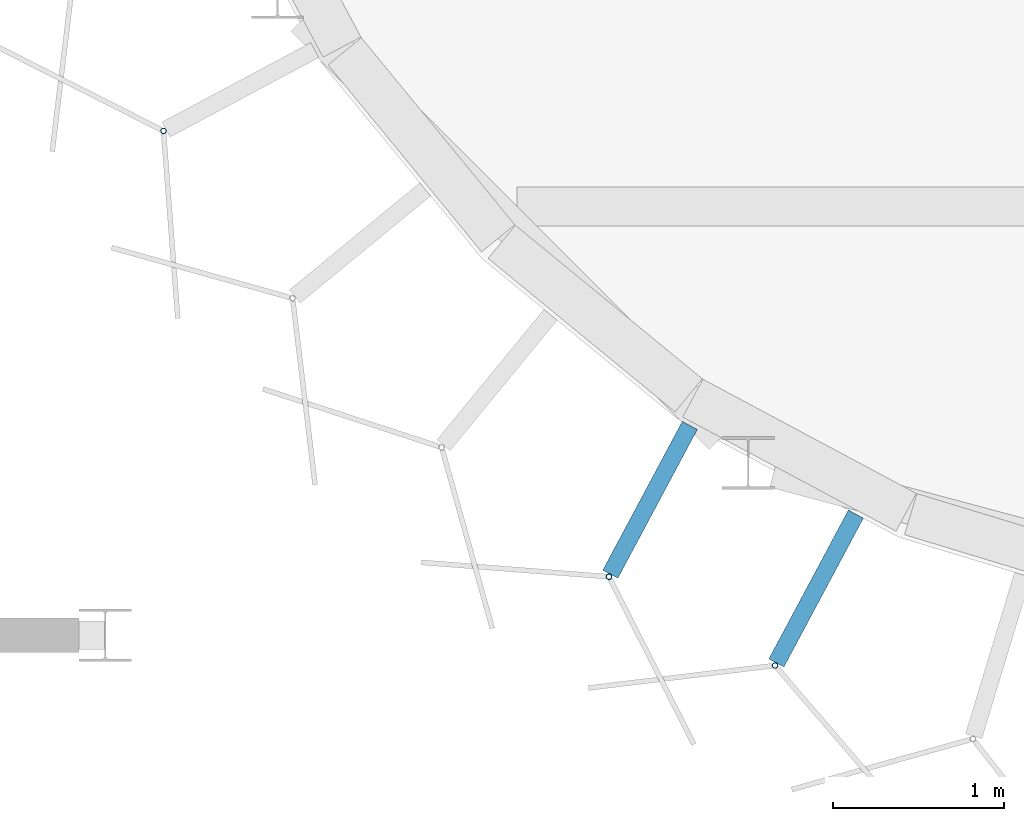
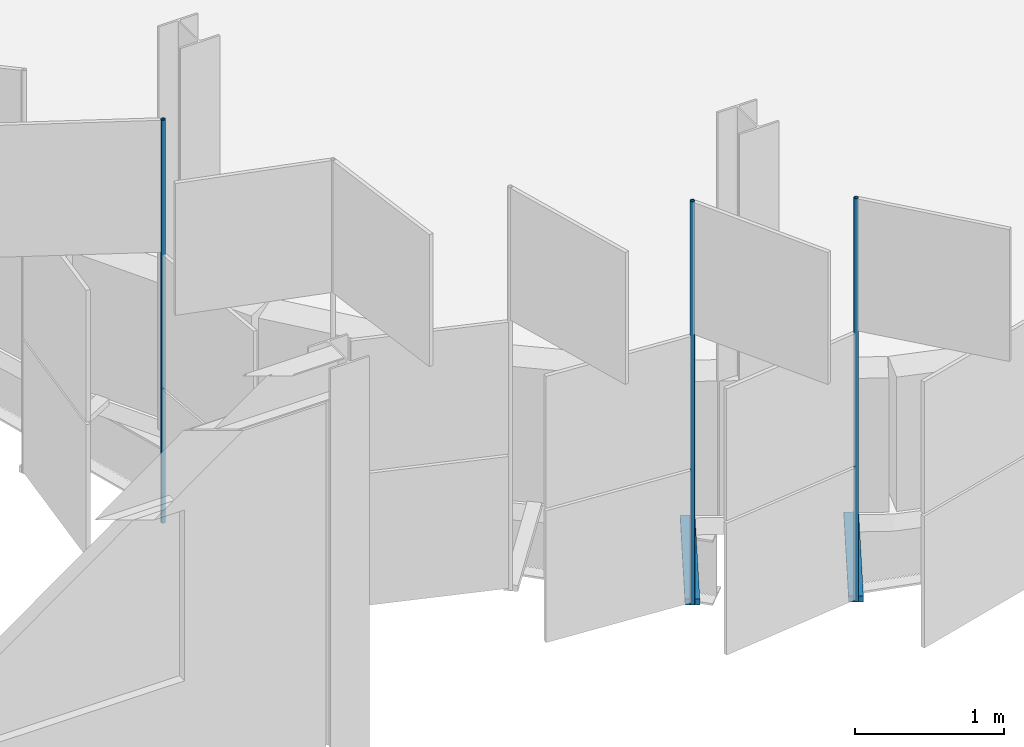
# One storey, part 84 of 198: 5 discrete accessories.
"""IFC4 building model written with IfcOpenShell, lengths in metres."""

from ifc_helpers import new_model, si_unit, direction, frame, origin, origin_2d, place, context, subcontext, project, spatial, rectangle, hollow_circle, extrude, material, material_profile, profile_set, type_object, element, save


model = new_model("IFC4")

# Units and contexts
model_context = context("Model", 3, precision=1e-05, world=origin(), true_north=direction((0.0, 1.0)))
body_context = subcontext(model_context, "Body", "Model", "MODEL_VIEW")
ifc_project = project(units=[si_unit("LENGTHUNIT", "METRE"), si_unit("AREAUNIT", "SQUARE_METRE"), si_unit("VOLUMEUNIT", "CUBIC_METRE"), si_unit("PLANEANGLEUNIT", "RADIAN"), si_unit("MASSUNIT", "GRAM", prefix="KILO")], contexts=[model_context])

# Site, building, storey
site_placement = place(None, origin())
site = spatial("IfcSite", under=ifc_project, at=site_placement, CompositionType="ELEMENT")
building_placement = place(site_placement, origin())
building = spatial("IfcBuilding", under=site, at=building_placement, Name="Parallax Yard Mobility Hub", CompositionType="ELEMENT")
storey_placement = place(building_placement, frame((0.0, 0.0, 6.60009765625)))
storey = spatial("IfcBuildingStorey", under=building, at=storey_placement, Name="L02", CompositionType="ELEMENT", Elevation=6.60009765625)

# Discrete accessories
ifc_material_1 = material(Name="Steel ASTM A36, hot-dip galvanised", Category="steel")
discrete_accessory_type_1 = type_object("IfcDiscreteAccessoryType", Name="Hinge bracket plate 100x50", PredefinedType="BRACKET", material=ifc_material_1)
for number, where, z_axis, x_axis, name in (
    (1, (198.177490234375, 23.289794921875, -0.02490234375), (0.0, 0.0, 1.0), (-0.471396736826, -0.881921264348, 0.0), "Hinge bracket plate bay 30.8 level L02"),
    (2, (199.14599609375, 22.772216796875, -0.02490234375), (0.0, 0.0, 1.0), (-0.471396736826, -0.881921264348, 0.0), "Hinge bracket plate bay 30.9 level L02"),
):
    element("IfcDiscreteAccessory", number, at=place(storey_placement, frame(where, z_axis=z_axis, x_axis=x_axis)), inside=storey, type_object=discrete_accessory_type_1, Name=name, PredefinedType="BRACKET", context=body_context, shape_type="SweptSolid", body=[
        extrude(rectangle(XDim=0.984130859375, YDim=0.10009765625, at=origin_2d()), origin(), (0.0, 0.0, 1.0), 0.050048828125),
    ])
ifc_material_2 = material(Name="Steel ASTM A500 Gr C, hot-dip galvanised", Category="steel")
ifc_material_profile = material_profile(ifc_material_2, hollow_circle(Radius=0.016845703125, WallThickness=0.003173828125, at=origin_2d()), Name="CHS 33.7x3.2")
ifc_profile_set = profile_set([ifc_material_profile], Name="Steel ASTM A500 Gr C, hot-dip galvanised")
discrete_accessory_type_2 = type_object("IfcDiscreteAccessoryType", Name="Hinge post CHS 33.7x3.2", PredefinedType="BRACKET", material=ifc_profile_set)
for number, where, z_axis, x_axis, name in (
    (3, (195.33935546875, 25.441650390625, 0.0), (0.0, 0.0, 1.0), (1.0, 0.0, 0.0), "Hinge post bay 30.5 level L02"),
    (4, (197.937744140625, 22.84130859375, 0.0), (0.0, 0.0, 1.0), (1.0, 0.0, 0.0), "Hinge post bay 30.8 level L02"),
    (5, (198.90625, 22.32373046875, 0.0), (0.0, 0.0, 1.0), (1.0, 0.0, 0.0), "Hinge post bay 30.9 level L02"),
):
    element("IfcDiscreteAccessory", number, at=place(storey_placement, frame(where, z_axis=z_axis, x_axis=x_axis)), inside=storey, type_object=discrete_accessory_type_2, Name=name, PredefinedType="BRACKET", context=body_context, shape_type="SweptSolid", body=[
        extrude(hollow_circle(Radius=0.016845703125, WallThickness=0.003173828125, at=origin_2d()), origin(), (0.0, 0.0, 1.0), 3.2998046875),
    ])

save(model, "model.ifc")
